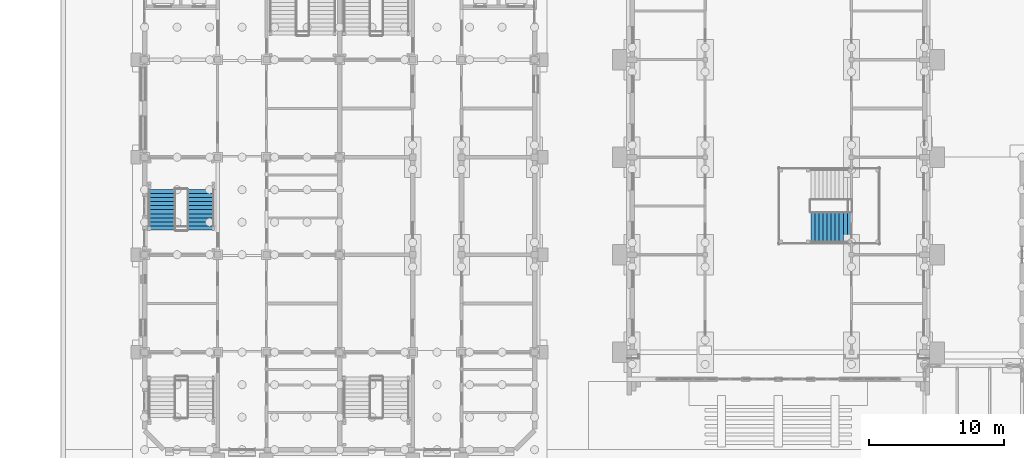
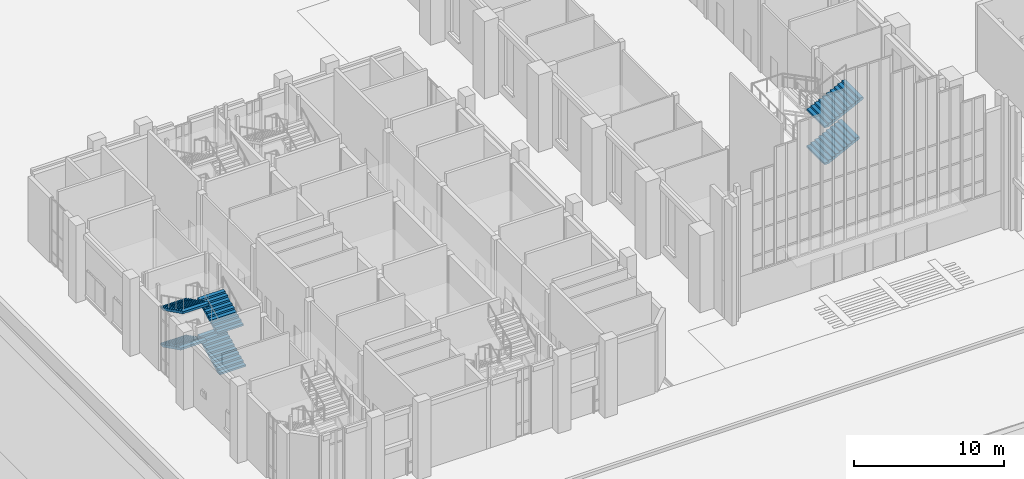
# One storey, part 60 of 84: 6 stair flights, 2 elements without a shape of their own.
"""IFC4 building model written with IfcOpenShell, lengths in metres."""

from ifc_helpers import new_model, si_unit, direction, frame, origin, place, context, subcontext, project, spatial, faceted_brep, material, type_object, element, aggregate, save


model = new_model("IFC4")

# Units and contexts
model_context = context("Model", 3, precision=1e-05, world=origin(), true_north=direction((0.0, 1.0)))
body_context = subcontext(model_context, "Body", "Model", "MODEL_VIEW")
ifc_project = project(units=[si_unit("LENGTHUNIT", "METRE"), si_unit("AREAUNIT", "SQUARE_METRE"), si_unit("VOLUMEUNIT", "CUBIC_METRE"), si_unit("PLANEANGLEUNIT", "RADIAN"), si_unit("MASSUNIT", "GRAM", prefix="KILO")], contexts=[model_context])

# Site, building, storey
site_placement = place(None, origin())
site = spatial("IfcSite", under=ifc_project, at=site_placement, CompositionType="ELEMENT")
building_placement = place(site_placement, origin())
building = spatial("IfcBuilding", under=site, at=building_placement, Name="Mazhai Court Health Centre", CompositionType="ELEMENT")
storey_placement = place(building_placement, origin())
storey = spatial("IfcBuildingStorey", under=building, at=storey_placement, Name="L00", CompositionType="ELEMENT", Elevation=0.0)

# Stair, stair flights
ifc_material_1 = material(Name="Concrete M40", Category="concrete")
stair_type_1 = type_object("IfcStairType", Name="RC STAIR 2000 42R", PredefinedType="DOUBLE_RETURN_STAIR", material=ifc_material_1)
stair_1_placement = place(storey_placement, origin())
stair_1 = element("IfcStair", 1, at=stair_1_placement, inside=storey, type_object=stair_type_1, Name="L00 Stair 2", PredefinedType="DOUBLE_RETURN_STAIR")
ifc_material_2 = material(Name="Concrete M40", Category="concrete")
stair_flight_type_1 = type_object("IfcStairFlightType", Name="RC STAIR FLIGHT 10R 2000", PredefinedType="STRAIGHT", material=ifc_material_2)
stair_flight_1_placement = place(storey_placement, frame((7.4951171875, 25.425048828125, 1.64990234375), z_axis=(0.0, 0.0, 1.0), x_axis=(0.0, -1.0, 0.0)))
stair_flight_1 = element("IfcStairFlight", 2, at=stair_flight_1_placement, type_object=stair_flight_type_1, Name="ST2 flight 2", NumberOfRisers=10, NumberOfTreads=9, PredefinedType="STRAIGHT", RiserHeight=0.15, TreadLength=0.3, context=body_context, shape_type="Brep", body=[
    faceted_brep([(0.0, 1.0, 0.0), (0.0, 1.0, 0.14990234375), (0.300048828125, 1.0, 0.14990234375), (0.300048828125, 1.0, 0.300048828125), (0.60009765625, 1.0, 0.300048828125), (0.60009765625, 1.0, 0.449951171875), (0.89990234375, 1.0, 0.449951171875), (0.89990234375, 1.0, 0.60009765625), (1.199951171875, 1.0, 0.60009765625), (1.199951171875, 1.0, 0.75), (1.5, 1.0, 0.75), (1.5, 1.0, 0.89990234375), (1.800048828125, 1.0, 0.89990234375), (1.800048828125, 1.0, 1.050048828125), (2.10009765625, 1.0, 1.050048828125), (2.10009765625, 1.0, 1.199951171875), (2.39990234375, 1.0, 1.199951171875), (2.39990234375, 1.0, 1.35009765625), (2.699951171875, 1.0, 1.35009765625), (2.699951171875, 1.0, 1.182373046875), (0.335205078125, 1.0, 0.0), (0.335205078125, -1.0, 0.0), (2.699951171875, -1.0, 1.182373046875), (2.699951171875, -1.0, 1.35009765625), (2.39990234375, -1.0, 1.35009765625), (2.39990234375, -1.0, 1.199951171875), (2.10009765625, -1.0, 1.199951171875), (2.10009765625, -1.0, 1.050048828125), (1.800048828125, -1.0, 1.050048828125), (1.800048828125, -1.0, 0.89990234375), (1.5, -1.0, 0.89990234375), (1.5, -1.0, 0.75), (1.199951171875, -1.0, 0.75), (1.199951171875, -1.0, 0.60009765625), (0.89990234375, -1.0, 0.60009765625), (0.89990234375, -1.0, 0.449951171875), (0.60009765625, -1.0, 0.449951171875), (0.60009765625, -1.0, 0.300048828125), (0.300048828125, -1.0, 0.300048828125), (0.300048828125, -1.0, 0.14990234375), (0.0, -1.0, 0.14990234375), (0.0, -1.0, 0.0), (0.0, 0.0, 0.0), (0.0, 0.0, 0.14990234375), (0.300048828125, 0.0, 0.14990234375), (0.300048828125, 0.0, 0.300048828125), (0.60009765625, 0.0, 0.300048828125), (0.60009765625, 0.0, 0.449951171875), (0.89990234375, 0.0, 0.449951171875), (0.89990234375, 0.0, 0.60009765625), (1.199951171875, 0.0, 0.60009765625), (1.199951171875, 0.0, 0.75), (1.5, 0.0, 0.75), (1.5, 0.0, 0.89990234375), (1.800048828125, 0.0, 0.89990234375), (1.800048828125, 0.0, 1.050048828125), (2.10009765625, 0.0, 1.050048828125), (2.10009765625, 0.0, 1.199951171875), (2.39990234375, 0.0, 1.199951171875), (2.39990234375, 0.0, 1.35009765625), (2.699951171875, 0.0, 1.35009765625), (2.699951171875, 0.0, 1.182373046875), (0.335205078125, 0.0, 0.0)], [[[0, 1, 2, 3, 4, 5, 6, 7, 8, 9, 10, 11, 12, 13, 14, 15, 16, 17, 18, 19, 20]], [[21, 22, 23, 24, 25, 26, 27, 28, 29, 30, 31, 32, 33, 34, 35, 36, 37, 38, 39, 40, 41]], [[42, 43, 1, 0]], [[41, 40, 43, 42]], [[43, 44, 2, 1]], [[40, 39, 44, 43]], [[44, 45, 3, 2]], [[39, 38, 45, 44]], [[45, 46, 4, 3]], [[38, 37, 46, 45]], [[46, 47, 5, 4]], [[37, 36, 47, 46]], [[47, 48, 6, 5]], [[36, 35, 48, 47]], [[48, 49, 7, 6]], [[35, 34, 49, 48]], [[49, 50, 8, 7]], [[34, 33, 50, 49]], [[50, 51, 9, 8]], [[33, 32, 51, 50]], [[51, 52, 10, 9]], [[32, 31, 52, 51]], [[52, 53, 11, 10]], [[31, 30, 53, 52]], [[53, 54, 12, 11]], [[30, 29, 54, 53]], [[54, 55, 13, 12]], [[29, 28, 55, 54]], [[55, 56, 14, 13]], [[28, 27, 56, 55]], [[56, 57, 15, 14]], [[27, 26, 57, 56]], [[57, 58, 16, 15]], [[26, 25, 58, 57]], [[58, 59, 17, 16]], [[25, 24, 59, 58]], [[59, 60, 18, 17]], [[24, 23, 60, 59]], [[60, 61, 19, 18]], [[23, 22, 61, 60]], [[61, 62, 20, 19]], [[22, 21, 62, 61]], [[62, 42, 0, 20]], [[21, 41, 42, 62]]]),
])
stair_flight_2_placement = place(storey_placement, frame((10.344970703125, 22.72509765625, 3.14990234375), z_axis=(0.0, 0.0, 1.0), x_axis=(0.0, 1.0, 0.0)))
stair_flight_2 = element("IfcStairFlight", 3, at=stair_flight_2_placement, type_object=stair_flight_type_1, Name="ST2 flight 3", NumberOfRisers=10, NumberOfTreads=9, PredefinedType="STRAIGHT", RiserHeight=0.15, TreadLength=0.3, context=body_context, shape_type="Brep", body=[
    faceted_brep([(0.0, 1.0, 0.0), (0.0, 1.0, 0.14990234375), (0.300048828125, 1.0, 0.14990234375), (0.300048828125, 1.0, 0.300048828125), (0.60009765625, 1.0, 0.300048828125), (0.60009765625, 1.0, 0.449951171875), (0.89990234375, 1.0, 0.449951171875), (0.89990234375, 1.0, 0.60009765625), (1.199951171875, 1.0, 0.60009765625), (1.199951171875, 1.0, 0.75), (1.5, 1.0, 0.75), (1.5, 1.0, 0.89990234375), (1.800048828125, 1.0, 0.89990234375), (1.800048828125, 1.0, 1.050048828125), (2.10009765625, 1.0, 1.050048828125), (2.10009765625, 1.0, 1.199951171875), (2.39990234375, 1.0, 1.199951171875), (2.39990234375, 1.0, 1.35009765625), (2.699951171875, 1.0, 1.35009765625), (2.699951171875, 1.0, 1.182373046875), (0.335205078125, 1.0, 0.0), (0.335205078125, -1.0, 0.0), (2.699951171875, -1.0, 1.182373046875), (2.699951171875, -1.0, 1.35009765625), (2.39990234375, -1.0, 1.35009765625), (2.39990234375, -1.0, 1.199951171875), (2.10009765625, -1.0, 1.199951171875), (2.10009765625, -1.0, 1.050048828125), (1.800048828125, -1.0, 1.050048828125), (1.800048828125, -1.0, 0.89990234375), (1.5, -1.0, 0.89990234375), (1.5, -1.0, 0.75), (1.199951171875, -1.0, 0.75), (1.199951171875, -1.0, 0.60009765625), (0.89990234375, -1.0, 0.60009765625), (0.89990234375, -1.0, 0.449951171875), (0.60009765625, -1.0, 0.449951171875), (0.60009765625, -1.0, 0.300048828125), (0.300048828125, -1.0, 0.300048828125), (0.300048828125, -1.0, 0.14990234375), (0.0, -1.0, 0.14990234375), (0.0, -1.0, 0.0), (0.0, 0.0, 0.0), (0.0, 0.0, 0.14990234375), (0.300048828125, 0.0, 0.14990234375), (0.300048828125, 0.0, 0.300048828125), (0.60009765625, 0.0, 0.300048828125), (0.60009765625, 0.0, 0.449951171875), (0.89990234375, 0.0, 0.449951171875), (0.89990234375, 0.0, 0.60009765625), (1.199951171875, 0.0, 0.60009765625), (1.199951171875, 0.0, 0.75), (1.5, 0.0, 0.75), (1.5, 0.0, 0.89990234375), (1.800048828125, 0.0, 0.89990234375), (1.800048828125, 0.0, 1.050048828125), (2.10009765625, 0.0, 1.050048828125), (2.10009765625, 0.0, 1.199951171875), (2.39990234375, 0.0, 1.199951171875), (2.39990234375, 0.0, 1.35009765625), (2.699951171875, 0.0, 1.35009765625), (2.699951171875, 0.0, 1.182373046875), (0.335205078125, 0.0, 0.0)], [[[0, 1, 2, 3, 4, 5, 6, 7, 8, 9, 10, 11, 12, 13, 14, 15, 16, 17, 18, 19, 20]], [[21, 22, 23, 24, 25, 26, 27, 28, 29, 30, 31, 32, 33, 34, 35, 36, 37, 38, 39, 40, 41]], [[42, 43, 1, 0]], [[41, 40, 43, 42]], [[43, 44, 2, 1]], [[40, 39, 44, 43]], [[44, 45, 3, 2]], [[39, 38, 45, 44]], [[45, 46, 4, 3]], [[38, 37, 46, 45]], [[46, 47, 5, 4]], [[37, 36, 47, 46]], [[47, 48, 6, 5]], [[36, 35, 48, 47]], [[48, 49, 7, 6]], [[35, 34, 49, 48]], [[49, 50, 8, 7]], [[34, 33, 50, 49]], [[50, 51, 9, 8]], [[33, 32, 51, 50]], [[51, 52, 10, 9]], [[32, 31, 52, 51]], [[52, 53, 11, 10]], [[31, 30, 53, 52]], [[53, 54, 12, 11]], [[30, 29, 54, 53]], [[54, 55, 13, 12]], [[29, 28, 55, 54]], [[55, 56, 14, 13]], [[28, 27, 56, 55]], [[56, 57, 15, 14]], [[27, 26, 57, 56]], [[57, 58, 16, 15]], [[26, 25, 58, 57]], [[58, 59, 17, 16]], [[25, 24, 59, 58]], [[59, 60, 18, 17]], [[24, 23, 60, 59]], [[60, 61, 19, 18]], [[23, 22, 61, 60]], [[61, 62, 20, 19]], [[22, 21, 62, 61]], [[62, 42, 0, 20]], [[21, 41, 42, 62]]]),
])

# Stair, stair flight
ifc_material_3 = material(Name="Concrete M40", Category="concrete")
stair_type_2 = type_object("IfcStairType", Name="RC STAIR 2400 42R", PredefinedType="DOUBLE_RETURN_STAIR", material=ifc_material_3)
stair_2_placement = place(storey_placement, origin())
stair_2 = element("IfcStair", 4, at=stair_2_placement, inside=storey, type_object=stair_type_2, Name="L00 Stair 13", PredefinedType="DOUBLE_RETURN_STAIR")
ifc_material_4 = material(Name="Concrete M40", Category="concrete")
stair_flight_type_2 = type_object("IfcStairFlightType", Name="RC STAIR FLIGHT 10R 2400", PredefinedType="STRAIGHT", material=ifc_material_4)
stair_flight_3_placement = place(storey_placement, frame((55.39990234375, 22.574951171875, 1.64990234375), z_axis=(0.0, 0.0, 1.0), x_axis=(1.0, 0.0, 0.0)))
stair_flight_3 = element("IfcStairFlight", 5, at=stair_flight_3_placement, type_object=stair_flight_type_2, Name="ST13 flight 2", NumberOfRisers=10, NumberOfTreads=9, PredefinedType="STRAIGHT", RiserHeight=0.15, TreadLength=0.3, context=body_context, shape_type="Brep", body=[
    faceted_brep([(0.0, 1.199951171875, 0.0), (0.0, 1.199951171875, 0.14990234375), (0.300048828125, 1.199951171875, 0.14990234375), (0.300048828125, 1.199951171875, 0.300048828125), (0.60009765625, 1.199951171875, 0.300048828125), (0.60009765625, 1.199951171875, 0.449951171875), (0.89990234375, 1.199951171875, 0.449951171875), (0.89990234375, 1.199951171875, 0.60009765625), (1.199951171875, 1.199951171875, 0.60009765625), (1.199951171875, 1.199951171875, 0.75), (1.5, 1.199951171875, 0.75), (1.5, 1.199951171875, 0.89990234375), (1.800048828125, 1.199951171875, 0.89990234375), (1.800048828125, 1.199951171875, 1.050048828125), (2.10009765625, 1.199951171875, 1.050048828125), (2.10009765625, 1.199951171875, 1.199951171875), (2.39990234375, 1.199951171875, 1.199951171875), (2.39990234375, 1.199951171875, 1.35009765625), (2.699951171875, 1.199951171875, 1.35009765625), (2.699951171875, 1.199951171875, 1.182373046875), (0.335205078125, 1.199951171875, 0.0), (0.335205078125, -1.199951171875, 0.0), (2.699951171875, -1.199951171875, 1.182373046875), (2.699951171875, -1.199951171875, 1.35009765625), (2.39990234375, -1.199951171875, 1.35009765625), (2.39990234375, -1.199951171875, 1.199951171875), (2.10009765625, -1.199951171875, 1.199951171875), (2.10009765625, -1.199951171875, 1.050048828125), (1.800048828125, -1.199951171875, 1.050048828125), (1.800048828125, -1.199951171875, 0.89990234375), (1.5, -1.199951171875, 0.89990234375), (1.5, -1.199951171875, 0.75), (1.199951171875, -1.199951171875, 0.75), (1.199951171875, -1.199951171875, 0.60009765625), (0.89990234375, -1.199951171875, 0.60009765625), (0.89990234375, -1.199951171875, 0.449951171875), (0.60009765625, -1.199951171875, 0.449951171875), (0.60009765625, -1.199951171875, 0.300048828125), (0.300048828125, -1.199951171875, 0.300048828125), (0.300048828125, -1.199951171875, 0.14990234375), (0.0, -1.199951171875, 0.14990234375), (0.0, -1.199951171875, 0.0), (0.0, 0.60009765625, 0.0), (0.0, 0.60009765625, 0.14990234375), (0.0, 0.0, 0.0), (0.0, 0.0, 0.14990234375), (0.0, -0.60009765625, 0.0), (0.0, -0.60009765625, 0.14990234375), (0.300048828125, 0.60009765625, 0.14990234375), (0.300048828125, 0.0, 0.14990234375), (0.300048828125, -0.60009765625, 0.14990234375), (0.300048828125, 0.60009765625, 0.300048828125), (0.300048828125, 0.0, 0.300048828125), (0.300048828125, -0.60009765625, 0.300048828125), (0.60009765625, 0.60009765625, 0.300048828125), (0.60009765625, 0.0, 0.300048828125), (0.60009765625, -0.60009765625, 0.300048828125), (0.60009765625, 0.60009765625, 0.449951171875), (0.60009765625, 0.0, 0.449951171875), (0.60009765625, -0.60009765625, 0.449951171875), (0.89990234375, 0.60009765625, 0.449951171875), (0.89990234375, 0.0, 0.449951171875), (0.89990234375, -0.60009765625, 0.449951171875), (0.89990234375, 0.60009765625, 0.60009765625), (0.89990234375, 0.0, 0.60009765625), (0.89990234375, -0.60009765625, 0.60009765625), (1.199951171875, 0.60009765625, 0.60009765625), (1.199951171875, 0.0, 0.60009765625), (1.199951171875, -0.60009765625, 0.60009765625), (1.199951171875, 0.60009765625, 0.75), (1.199951171875, 0.0, 0.75), (1.199951171875, -0.60009765625, 0.75), (1.5, 0.60009765625, 0.75), (1.5, 0.0, 0.75), (1.5, -0.60009765625, 0.75), (1.5, 0.60009765625, 0.89990234375), (1.5, 0.0, 0.89990234375), (1.5, -0.60009765625, 0.89990234375), (1.800048828125, 0.60009765625, 0.89990234375), (1.800048828125, 0.0, 0.89990234375), (1.800048828125, -0.60009765625, 0.89990234375), (1.800048828125, 0.60009765625, 1.050048828125), (1.800048828125, 0.0, 1.050048828125), (1.800048828125, -0.60009765625, 1.050048828125), (2.10009765625, 0.60009765625, 1.050048828125), (2.10009765625, 0.0, 1.050048828125), (2.10009765625, -0.60009765625, 1.050048828125), (2.10009765625, 0.60009765625, 1.199951171875), (2.10009765625, 0.0, 1.199951171875), (2.10009765625, -0.60009765625, 1.199951171875), (2.39990234375, 0.60009765625, 1.199951171875), (2.39990234375, 0.0, 1.199951171875), (2.39990234375, -0.60009765625, 1.199951171875), (2.39990234375, 0.60009765625, 1.35009765625), (2.39990234375, 0.0, 1.35009765625), (2.39990234375, -0.60009765625, 1.35009765625), (2.699951171875, 0.60009765625, 1.35009765625), (2.699951171875, 0.0, 1.35009765625), (2.699951171875, -0.60009765625, 1.35009765625), (2.699951171875, 0.60009765625, 1.182373046875), (2.699951171875, 0.0, 1.182373046875), (2.699951171875, -0.60009765625, 1.182373046875), (0.335205078125, 0.60009765625, 0.0), (0.335205078125, 0.0, 0.0), (0.335205078125, -0.60009765625, 0.0)], [[[0, 1, 2, 3, 4, 5, 6, 7, 8, 9, 10, 11, 12, 13, 14, 15, 16, 17, 18, 19, 20]], [[21, 22, 23, 24, 25, 26, 27, 28, 29, 30, 31, 32, 33, 34, 35, 36, 37, 38, 39, 40, 41]], [[42, 43, 1, 0]], [[44, 45, 43, 42]], [[46, 47, 45, 44]], [[41, 40, 47, 46]], [[43, 48, 2, 1]], [[45, 49, 48, 43]], [[47, 50, 49, 45]], [[40, 39, 50, 47]], [[48, 51, 3, 2]], [[49, 52, 51, 48]], [[50, 53, 52, 49]], [[39, 38, 53, 50]], [[51, 54, 4, 3]], [[52, 55, 54, 51]], [[53, 56, 55, 52]], [[38, 37, 56, 53]], [[54, 57, 5, 4]], [[55, 58, 57, 54]], [[56, 59, 58, 55]], [[37, 36, 59, 56]], [[57, 60, 6, 5]], [[58, 61, 60, 57]], [[59, 62, 61, 58]], [[36, 35, 62, 59]], [[60, 63, 7, 6]], [[61, 64, 63, 60]], [[62, 65, 64, 61]], [[35, 34, 65, 62]], [[63, 66, 8, 7]], [[64, 67, 66, 63]], [[65, 68, 67, 64]], [[34, 33, 68, 65]], [[66, 69, 9, 8]], [[67, 70, 69, 66]], [[68, 71, 70, 67]], [[33, 32, 71, 68]], [[69, 72, 10, 9]], [[70, 73, 72, 69]], [[71, 74, 73, 70]], [[32, 31, 74, 71]], [[72, 75, 11, 10]], [[73, 76, 75, 72]], [[74, 77, 76, 73]], [[31, 30, 77, 74]], [[75, 78, 12, 11]], [[76, 79, 78, 75]], [[77, 80, 79, 76]], [[30, 29, 80, 77]], [[78, 81, 13, 12]], [[79, 82, 81, 78]], [[80, 83, 82, 79]], [[29, 28, 83, 80]], [[81, 84, 14, 13]], [[82, 85, 84, 81]], [[83, 86, 85, 82]], [[28, 27, 86, 83]], [[84, 87, 15, 14]], [[85, 88, 87, 84]], [[86, 89, 88, 85]], [[27, 26, 89, 86]], [[87, 90, 16, 15]], [[88, 91, 90, 87]], [[89, 92, 91, 88]], [[26, 25, 92, 89]], [[90, 93, 17, 16]], [[91, 94, 93, 90]], [[92, 95, 94, 91]], [[25, 24, 95, 92]], [[93, 96, 18, 17]], [[94, 97, 96, 93]], [[95, 98, 97, 94]], [[24, 23, 98, 95]], [[96, 99, 19, 18]], [[97, 100, 99, 96]], [[98, 101, 100, 97]], [[23, 22, 101, 98]], [[99, 102, 20, 19]], [[100, 103, 102, 99]], [[101, 104, 103, 100]], [[22, 21, 104, 101]], [[102, 42, 0, 20]], [[103, 44, 42, 102]], [[104, 46, 44, 103]], [[21, 41, 46, 104]]]),
])

# Stair flight
ifc_material_5 = material(Name="Concrete M40", Category="concrete")
stair_flight_type_3 = type_object("IfcStairFlightType", Name="RC STAIR FLIGHT 11R 2000", PredefinedType="STRAIGHT", material=ifc_material_5)
stair_flight_4_placement = place(storey_placement, frame((10.344970703125, 22.425048828125, 0.0), z_axis=(0.0, 0.0, 1.0), x_axis=(0.0, 1.0, 0.0)))
stair_flight_4 = element("IfcStairFlight", 6, at=stair_flight_4_placement, type_object=stair_flight_type_3, Name="ST2 flight 1", NumberOfRisers=11, NumberOfTreads=10, PredefinedType="STRAIGHT", RiserHeight=0.15, TreadLength=0.3, context=body_context, shape_type="Brep", body=[
    faceted_brep([(0.0, 1.0, 0.0), (0.0, 1.0, 0.14990234375), (0.300048828125, 1.0, 0.14990234375), (0.300048828125, 1.0, 0.300048828125), (0.60009765625, 1.0, 0.300048828125), (0.60009765625, 1.0, 0.449951171875), (0.89990234375, 1.0, 0.449951171875), (0.89990234375, 1.0, 0.60009765625), (1.199951171875, 1.0, 0.60009765625), (1.199951171875, 1.0, 0.75), (1.5, 1.0, 0.75), (1.5, 1.0, 0.89990234375), (1.800048828125, 1.0, 0.89990234375), (1.800048828125, 1.0, 1.050048828125), (2.10009765625, 1.0, 1.050048828125), (2.10009765625, 1.0, 1.199951171875), (2.39990234375, 1.0, 1.199951171875), (2.39990234375, 1.0, 1.35009765625), (2.699951171875, 1.0, 1.35009765625), (2.699951171875, 1.0, 1.5), (3.0, 1.0, 1.5), (3.0, 1.0, 1.33251953125), (0.335205078125, 1.0, 0.0), (0.335205078125, -1.0, 0.0), (3.0, -1.0, 1.33251953125), (3.0, -1.0, 1.5), (2.699951171875, -1.0, 1.5), (2.699951171875, -1.0, 1.35009765625), (2.39990234375, -1.0, 1.35009765625), (2.39990234375, -1.0, 1.199951171875), (2.10009765625, -1.0, 1.199951171875), (2.10009765625, -1.0, 1.050048828125), (1.800048828125, -1.0, 1.050048828125), (1.800048828125, -1.0, 0.89990234375), (1.5, -1.0, 0.89990234375), (1.5, -1.0, 0.75), (1.199951171875, -1.0, 0.75), (1.199951171875, -1.0, 0.60009765625), (0.89990234375, -1.0, 0.60009765625), (0.89990234375, -1.0, 0.449951171875), (0.60009765625, -1.0, 0.449951171875), (0.60009765625, -1.0, 0.300048828125), (0.300048828125, -1.0, 0.300048828125), (0.300048828125, -1.0, 0.14990234375), (0.0, -1.0, 0.14990234375), (0.0, -1.0, 0.0), (0.0, 0.0, 0.0), (0.0, 0.0, 0.14990234375), (0.300048828125, 0.0, 0.14990234375), (0.300048828125, 0.0, 0.300048828125), (0.60009765625, 0.0, 0.300048828125), (0.60009765625, 0.0, 0.449951171875), (0.89990234375, 0.0, 0.449951171875), (0.89990234375, 0.0, 0.60009765625), (1.199951171875, 0.0, 0.60009765625), (1.199951171875, 0.0, 0.75), (1.5, 0.0, 0.75), (1.5, 0.0, 0.89990234375), (1.800048828125, 0.0, 0.89990234375), (1.800048828125, 0.0, 1.050048828125), (2.10009765625, 0.0, 1.050048828125), (2.10009765625, 0.0, 1.199951171875), (2.39990234375, 0.0, 1.199951171875), (2.39990234375, 0.0, 1.35009765625), (2.699951171875, 0.0, 1.35009765625), (2.699951171875, 0.0, 1.5), (3.0, 0.0, 1.5), (3.0, 0.0, 1.33251953125), (0.335205078125, 0.0, 0.0)], [[[0, 1, 2, 3, 4, 5, 6, 7, 8, 9, 10, 11, 12, 13, 14, 15, 16, 17, 18, 19, 20, 21, 22]], [[23, 24, 25, 26, 27, 28, 29, 30, 31, 32, 33, 34, 35, 36, 37, 38, 39, 40, 41, 42, 43, 44, 45]], [[46, 47, 1, 0]], [[45, 44, 47, 46]], [[47, 48, 2, 1]], [[44, 43, 48, 47]], [[48, 49, 3, 2]], [[43, 42, 49, 48]], [[49, 50, 4, 3]], [[42, 41, 50, 49]], [[50, 51, 5, 4]], [[41, 40, 51, 50]], [[51, 52, 6, 5]], [[40, 39, 52, 51]], [[52, 53, 7, 6]], [[39, 38, 53, 52]], [[53, 54, 8, 7]], [[38, 37, 54, 53]], [[54, 55, 9, 8]], [[37, 36, 55, 54]], [[55, 56, 10, 9]], [[36, 35, 56, 55]], [[56, 57, 11, 10]], [[35, 34, 57, 56]], [[57, 58, 12, 11]], [[34, 33, 58, 57]], [[58, 59, 13, 12]], [[33, 32, 59, 58]], [[59, 60, 14, 13]], [[32, 31, 60, 59]], [[60, 61, 15, 14]], [[31, 30, 61, 60]], [[61, 62, 16, 15]], [[30, 29, 62, 61]], [[62, 63, 17, 16]], [[29, 28, 63, 62]], [[63, 64, 18, 17]], [[28, 27, 64, 63]], [[64, 65, 19, 18]], [[27, 26, 65, 64]], [[65, 66, 20, 19]], [[26, 25, 66, 65]], [[66, 67, 21, 20]], [[25, 24, 67, 66]], [[67, 68, 22, 21]], [[24, 23, 68, 67]], [[68, 46, 0, 22]], [[23, 45, 46, 68]]]),
])

stair_flight_5_placement = place(storey_placement, frame((7.4951171875, 25.425048828125, 4.64990234375), z_axis=(0.0, 0.0, 1.0), x_axis=(0.0, -1.0, 0.0)))
stair_flight_5 = element("IfcStairFlight", 7, at=stair_flight_5_placement, type_object=stair_flight_type_3, Name="ST2 flight 4", NumberOfRisers=11, NumberOfTreads=10, PredefinedType="STRAIGHT", RiserHeight=0.15, TreadLength=0.3, context=body_context, shape_type="Brep", body=[
    faceted_brep([(0.0, 1.0, 0.0), (0.0, 1.0, 0.14990234375), (0.300048828125, 1.0, 0.14990234375), (0.300048828125, 1.0, 0.300048828125), (0.60009765625, 1.0, 0.300048828125), (0.60009765625, 1.0, 0.449951171875), (0.89990234375, 1.0, 0.449951171875), (0.89990234375, 1.0, 0.60009765625), (1.199951171875, 1.0, 0.60009765625), (1.199951171875, 1.0, 0.75), (1.5, 1.0, 0.75), (1.5, 1.0, 0.89990234375), (1.800048828125, 1.0, 0.89990234375), (1.800048828125, 1.0, 1.050048828125), (2.10009765625, 1.0, 1.050048828125), (2.10009765625, 1.0, 1.199951171875), (2.39990234375, 1.0, 1.199951171875), (2.39990234375, 1.0, 1.35009765625), (2.699951171875, 1.0, 1.35009765625), (2.699951171875, 1.0, 1.5), (3.0, 1.0, 1.5), (3.0, 1.0, 1.33251953125), (0.335205078125, 1.0, 0.0), (0.335205078125, -1.0, 0.0), (3.0, -1.0, 1.33251953125), (3.0, -1.0, 1.5), (2.699951171875, -1.0, 1.5), (2.699951171875, -1.0, 1.35009765625), (2.39990234375, -1.0, 1.35009765625), (2.39990234375, -1.0, 1.199951171875), (2.10009765625, -1.0, 1.199951171875), (2.10009765625, -1.0, 1.050048828125), (1.800048828125, -1.0, 1.050048828125), (1.800048828125, -1.0, 0.89990234375), (1.5, -1.0, 0.89990234375), (1.5, -1.0, 0.75), (1.199951171875, -1.0, 0.75), (1.199951171875, -1.0, 0.60009765625), (0.89990234375, -1.0, 0.60009765625), (0.89990234375, -1.0, 0.449951171875), (0.60009765625, -1.0, 0.449951171875), (0.60009765625, -1.0, 0.300048828125), (0.300048828125, -1.0, 0.300048828125), (0.300048828125, -1.0, 0.14990234375), (0.0, -1.0, 0.14990234375), (0.0, -1.0, 0.0), (0.0, 0.0, 0.0), (0.0, 0.0, 0.14990234375), (0.300048828125, 0.0, 0.14990234375), (0.300048828125, 0.0, 0.300048828125), (0.60009765625, 0.0, 0.300048828125), (0.60009765625, 0.0, 0.449951171875), (0.89990234375, 0.0, 0.449951171875), (0.89990234375, 0.0, 0.60009765625), (1.199951171875, 0.0, 0.60009765625), (1.199951171875, 0.0, 0.75), (1.5, 0.0, 0.75), (1.5, 0.0, 0.89990234375), (1.800048828125, 0.0, 0.89990234375), (1.800048828125, 0.0, 1.050048828125), (2.10009765625, 0.0, 1.050048828125), (2.10009765625, 0.0, 1.199951171875), (2.39990234375, 0.0, 1.199951171875), (2.39990234375, 0.0, 1.35009765625), (2.699951171875, 0.0, 1.35009765625), (2.699951171875, 0.0, 1.5), (3.0, 0.0, 1.5), (3.0, 0.0, 1.33251953125), (0.335205078125, 0.0, 0.0)], [[[0, 1, 2, 3, 4, 5, 6, 7, 8, 9, 10, 11, 12, 13, 14, 15, 16, 17, 18, 19, 20, 21, 22]], [[23, 24, 25, 26, 27, 28, 29, 30, 31, 32, 33, 34, 35, 36, 37, 38, 39, 40, 41, 42, 43, 44, 45]], [[46, 47, 1, 0]], [[45, 44, 47, 46]], [[47, 48, 2, 1]], [[44, 43, 48, 47]], [[48, 49, 3, 2]], [[43, 42, 49, 48]], [[49, 50, 4, 3]], [[42, 41, 50, 49]], [[50, 51, 5, 4]], [[41, 40, 51, 50]], [[51, 52, 6, 5]], [[40, 39, 52, 51]], [[52, 53, 7, 6]], [[39, 38, 53, 52]], [[53, 54, 8, 7]], [[38, 37, 54, 53]], [[54, 55, 9, 8]], [[37, 36, 55, 54]], [[55, 56, 10, 9]], [[36, 35, 56, 55]], [[56, 57, 11, 10]], [[35, 34, 57, 56]], [[57, 58, 12, 11]], [[34, 33, 58, 57]], [[58, 59, 13, 12]], [[33, 32, 59, 58]], [[59, 60, 14, 13]], [[32, 31, 60, 59]], [[60, 61, 15, 14]], [[31, 30, 61, 60]], [[61, 62, 16, 15]], [[30, 29, 62, 61]], [[62, 63, 17, 16]], [[29, 28, 63, 62]], [[63, 64, 18, 17]], [[28, 27, 64, 63]], [[64, 65, 19, 18]], [[27, 26, 65, 64]], [[65, 66, 20, 19]], [[26, 25, 66, 65]], [[66, 67, 21, 20]], [[25, 24, 67, 66]], [[67, 68, 22, 21]], [[24, 23, 68, 67]], [[68, 46, 0, 22]], [[23, 45, 46, 68]]]),
])

aggregate(stair_1, [stair_flight_4, stair_flight_1, stair_flight_2, stair_flight_5])

ifc_material_6 = material(Name="Concrete M40", Category="concrete")
stair_flight_type_4 = type_object("IfcStairFlightType", Name="RC STAIR FLIGHT 11R 2400", PredefinedType="STRAIGHT", material=ifc_material_6)
stair_flight_6_placement = place(storey_placement, frame((55.39990234375, 22.574951171875, 4.64990234375), z_axis=(0.0, 0.0, 1.0), x_axis=(1.0, 0.0, 0.0)))
stair_flight_6 = element("IfcStairFlight", 8, at=stair_flight_6_placement, type_object=stair_flight_type_4, Name="ST13 flight 4", NumberOfRisers=11, NumberOfTreads=10, PredefinedType="STRAIGHT", RiserHeight=0.15, TreadLength=0.3, context=body_context, shape_type="Brep", body=[
    faceted_brep([(0.0, 1.199951171875, 0.0), (0.0, 1.199951171875, 0.14990234375), (0.300048828125, 1.199951171875, 0.14990234375), (0.300048828125, 1.199951171875, 0.300048828125), (0.60009765625, 1.199951171875, 0.300048828125), (0.60009765625, 1.199951171875, 0.449951171875), (0.89990234375, 1.199951171875, 0.449951171875), (0.89990234375, 1.199951171875, 0.60009765625), (1.199951171875, 1.199951171875, 0.60009765625), (1.199951171875, 1.199951171875, 0.75), (1.5, 1.199951171875, 0.75), (1.5, 1.199951171875, 0.89990234375), (1.800048828125, 1.199951171875, 0.89990234375), (1.800048828125, 1.199951171875, 1.050048828125), (2.10009765625, 1.199951171875, 1.050048828125), (2.10009765625, 1.199951171875, 1.199951171875), (2.39990234375, 1.199951171875, 1.199951171875), (2.39990234375, 1.199951171875, 1.35009765625), (2.699951171875, 1.199951171875, 1.35009765625), (2.699951171875, 1.199951171875, 1.5), (3.0, 1.199951171875, 1.5), (3.0, 1.199951171875, 1.33251953125), (0.335205078125, 1.199951171875, 0.0), (0.335205078125, -1.199951171875, 0.0), (3.0, -1.199951171875, 1.33251953125), (3.0, -1.199951171875, 1.5), (2.699951171875, -1.199951171875, 1.5), (2.699951171875, -1.199951171875, 1.35009765625), (2.39990234375, -1.199951171875, 1.35009765625), (2.39990234375, -1.199951171875, 1.199951171875), (2.10009765625, -1.199951171875, 1.199951171875), (2.10009765625, -1.199951171875, 1.050048828125), (1.800048828125, -1.199951171875, 1.050048828125), (1.800048828125, -1.199951171875, 0.89990234375), (1.5, -1.199951171875, 0.89990234375), (1.5, -1.199951171875, 0.75), (1.199951171875, -1.199951171875, 0.75), (1.199951171875, -1.199951171875, 0.60009765625), (0.89990234375, -1.199951171875, 0.60009765625), (0.89990234375, -1.199951171875, 0.449951171875), (0.60009765625, -1.199951171875, 0.449951171875), (0.60009765625, -1.199951171875, 0.300048828125), (0.300048828125, -1.199951171875, 0.300048828125), (0.300048828125, -1.199951171875, 0.14990234375), (0.0, -1.199951171875, 0.14990234375), (0.0, -1.199951171875, 0.0), (0.0, 0.60009765625, 0.0), (0.0, 0.60009765625, 0.14990234375), (0.0, 0.0, 0.0), (0.0, 0.0, 0.14990234375), (0.0, -0.60009765625, 0.0), (0.0, -0.60009765625, 0.14990234375), (0.300048828125, 0.60009765625, 0.14990234375), (0.300048828125, 0.0, 0.14990234375), (0.300048828125, -0.60009765625, 0.14990234375), (0.300048828125, 0.60009765625, 0.300048828125), (0.300048828125, 0.0, 0.300048828125), (0.300048828125, -0.60009765625, 0.300048828125), (0.60009765625, 0.60009765625, 0.300048828125), (0.60009765625, 0.0, 0.300048828125), (0.60009765625, -0.60009765625, 0.300048828125), (0.60009765625, 0.60009765625, 0.449951171875), (0.60009765625, 0.0, 0.449951171875), (0.60009765625, -0.60009765625, 0.449951171875), (0.89990234375, 0.60009765625, 0.449951171875), (0.89990234375, 0.0, 0.449951171875), (0.89990234375, -0.60009765625, 0.449951171875), (0.89990234375, 0.60009765625, 0.60009765625), (0.89990234375, 0.0, 0.60009765625), (0.89990234375, -0.60009765625, 0.60009765625), (1.199951171875, 0.60009765625, 0.60009765625), (1.199951171875, 0.0, 0.60009765625), (1.199951171875, -0.60009765625, 0.60009765625), (1.199951171875, 0.60009765625, 0.75), (1.199951171875, 0.0, 0.75), (1.199951171875, -0.60009765625, 0.75), (1.5, 0.60009765625, 0.75), (1.5, 0.0, 0.75), (1.5, -0.60009765625, 0.75), (1.5, 0.60009765625, 0.89990234375), (1.5, 0.0, 0.89990234375), (1.5, -0.60009765625, 0.89990234375), (1.800048828125, 0.60009765625, 0.89990234375), (1.800048828125, 0.0, 0.89990234375), (1.800048828125, -0.60009765625, 0.89990234375), (1.800048828125, 0.60009765625, 1.050048828125), (1.800048828125, 0.0, 1.050048828125), (1.800048828125, -0.60009765625, 1.050048828125), (2.10009765625, 0.60009765625, 1.050048828125), (2.10009765625, 0.0, 1.050048828125), (2.10009765625, -0.60009765625, 1.050048828125), (2.10009765625, 0.60009765625, 1.199951171875), (2.10009765625, 0.0, 1.199951171875), (2.10009765625, -0.60009765625, 1.199951171875), (2.39990234375, 0.60009765625, 1.199951171875), (2.39990234375, 0.0, 1.199951171875), (2.39990234375, -0.60009765625, 1.199951171875), (2.39990234375, 0.60009765625, 1.35009765625), (2.39990234375, 0.0, 1.35009765625), (2.39990234375, -0.60009765625, 1.35009765625), (2.699951171875, 0.60009765625, 1.35009765625), (2.699951171875, 0.0, 1.35009765625), (2.699951171875, -0.60009765625, 1.35009765625), (2.699951171875, 0.60009765625, 1.5), (2.699951171875, 0.0, 1.5), (2.699951171875, -0.60009765625, 1.5), (3.0, 0.60009765625, 1.5), (3.0, 0.0, 1.5), (3.0, -0.60009765625, 1.5), (3.0, 0.60009765625, 1.33251953125), (3.0, 0.0, 1.33251953125), (3.0, -0.60009765625, 1.33251953125), (0.335205078125, 0.60009765625, 0.0), (0.335205078125, 0.0, 0.0), (0.335205078125, -0.60009765625, 0.0)], [[[0, 1, 2, 3, 4, 5, 6, 7, 8, 9, 10, 11, 12, 13, 14, 15, 16, 17, 18, 19, 20, 21, 22]], [[23, 24, 25, 26, 27, 28, 29, 30, 31, 32, 33, 34, 35, 36, 37, 38, 39, 40, 41, 42, 43, 44, 45]], [[46, 47, 1, 0]], [[48, 49, 47, 46]], [[50, 51, 49, 48]], [[45, 44, 51, 50]], [[47, 52, 2, 1]], [[49, 53, 52, 47]], [[51, 54, 53, 49]], [[44, 43, 54, 51]], [[52, 55, 3, 2]], [[53, 56, 55, 52]], [[54, 57, 56, 53]], [[43, 42, 57, 54]], [[55, 58, 4, 3]], [[56, 59, 58, 55]], [[57, 60, 59, 56]], [[42, 41, 60, 57]], [[58, 61, 5, 4]], [[59, 62, 61, 58]], [[60, 63, 62, 59]], [[41, 40, 63, 60]], [[61, 64, 6, 5]], [[62, 65, 64, 61]], [[63, 66, 65, 62]], [[40, 39, 66, 63]], [[64, 67, 7, 6]], [[65, 68, 67, 64]], [[66, 69, 68, 65]], [[39, 38, 69, 66]], [[67, 70, 8, 7]], [[68, 71, 70, 67]], [[69, 72, 71, 68]], [[38, 37, 72, 69]], [[70, 73, 9, 8]], [[71, 74, 73, 70]], [[72, 75, 74, 71]], [[37, 36, 75, 72]], [[73, 76, 10, 9]], [[74, 77, 76, 73]], [[75, 78, 77, 74]], [[36, 35, 78, 75]], [[76, 79, 11, 10]], [[77, 80, 79, 76]], [[78, 81, 80, 77]], [[35, 34, 81, 78]], [[79, 82, 12, 11]], [[80, 83, 82, 79]], [[81, 84, 83, 80]], [[34, 33, 84, 81]], [[82, 85, 13, 12]], [[83, 86, 85, 82]], [[84, 87, 86, 83]], [[33, 32, 87, 84]], [[85, 88, 14, 13]], [[86, 89, 88, 85]], [[87, 90, 89, 86]], [[32, 31, 90, 87]], [[88, 91, 15, 14]], [[89, 92, 91, 88]], [[90, 93, 92, 89]], [[31, 30, 93, 90]], [[91, 94, 16, 15]], [[92, 95, 94, 91]], [[93, 96, 95, 92]], [[30, 29, 96, 93]], [[94, 97, 17, 16]], [[95, 98, 97, 94]], [[96, 99, 98, 95]], [[29, 28, 99, 96]], [[97, 100, 18, 17]], [[98, 101, 100, 97]], [[99, 102, 101, 98]], [[28, 27, 102, 99]], [[100, 103, 19, 18]], [[101, 104, 103, 100]], [[102, 105, 104, 101]], [[27, 26, 105, 102]], [[103, 106, 20, 19]], [[104, 107, 106, 103]], [[105, 108, 107, 104]], [[26, 25, 108, 105]], [[106, 109, 21, 20]], [[107, 110, 109, 106]], [[108, 111, 110, 107]], [[25, 24, 111, 108]], [[109, 112, 22, 21]], [[110, 113, 112, 109]], [[111, 114, 113, 110]], [[24, 23, 114, 111]], [[112, 46, 0, 22]], [[113, 48, 46, 112]], [[114, 50, 48, 113]], [[23, 45, 50, 114]]]),
])

aggregate(stair_2, [stair_flight_3, stair_flight_6])

save(model, "model.ifc")
